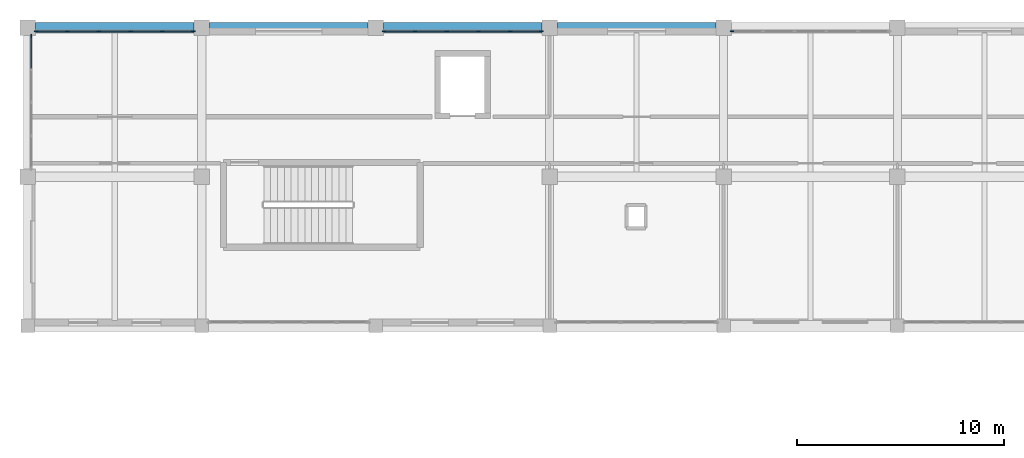
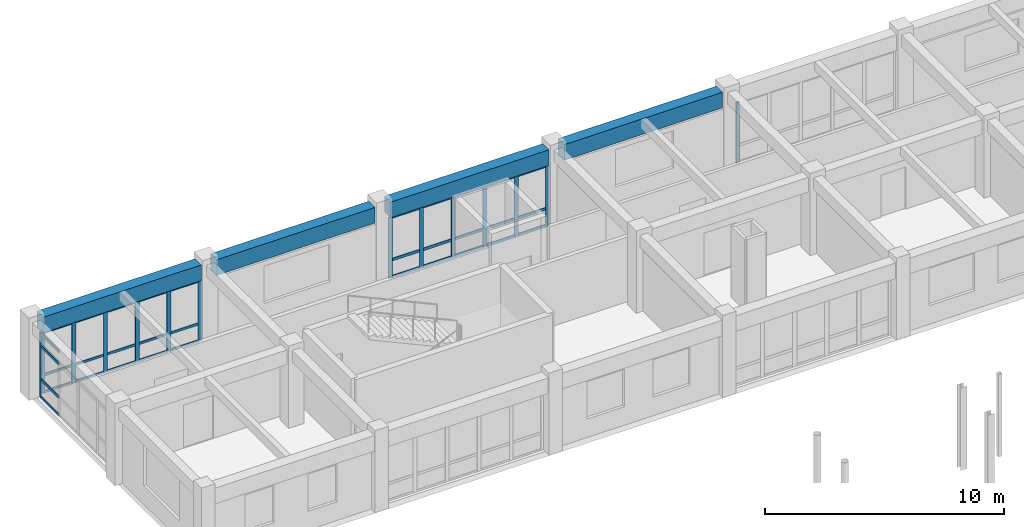
# One storey, part 96 of 147: 48 members, 4 beams, 4 elements without a shape of their own.
"""IFC4 building model written with IfcOpenShell, lengths in metres."""

from ifc_helpers import new_model, si_unit, direction, frame, origin, origin_2d, place, context, subcontext, project, spatial, rectangle, extrude, material, material_profile, profile_set, type_object, element, aggregate, save


model = new_model("IFC4")

# Units and contexts
model_context = context("Model", 3, precision=1e-05, world=origin(), true_north=direction((0.0, 1.0)))
body_context = subcontext(model_context, "Body", "Model", "MODEL_VIEW")
ifc_project = project(units=[si_unit("LENGTHUNIT", "METRE"), si_unit("AREAUNIT", "SQUARE_METRE"), si_unit("VOLUMEUNIT", "CUBIC_METRE"), si_unit("PLANEANGLEUNIT", "RADIAN"), si_unit("MASSUNIT", "GRAM", prefix="KILO")], contexts=[model_context])

# Site, building, storey
site_placement = place(None, origin())
site = spatial("IfcSite", under=ifc_project, at=site_placement, CompositionType="ELEMENT")
building_placement = place(site_placement, origin())
building = spatial("IfcBuilding", under=site, at=building_placement, Name="Malvenik Polytechnic", CompositionType="ELEMENT")
storey_placement = place(building_placement, frame((0.0, 0.0, 5.10009765625)))
storey = spatial("IfcBuildingStorey", under=building, at=storey_placement, Name="L01", CompositionType="ELEMENT", Elevation=5.10009765625)

# Curtain wall, member
ifc_material_1 = material(Name="Anodised aluminium 6060-T6", Category="aluminium")
curtain_wall_type_1 = type_object("IfcCurtainWallType", Name="ARC-CW-CW-05", PredefinedType="NOTDEFINED", material=ifc_material_1)
curtain_wall_1_placement = place(storey_placement, origin())
curtain_wall_1 = element("IfcCurtainWall", 1, at=curtain_wall_1_placement, inside=storey, type_object=curtain_wall_type_1, Name="Unitised Curtain Wall CW-05 L01 #44", PredefinedType="NOTDEFINED")
ifc_material_2 = material(Name="Anodised aluminium", Category="aluminium")
ifc_material_profile_1 = material_profile(ifc_material_2, rectangle(XDim=0.06005859375, YDim=0.159912109375, at=origin_2d()), Name="ALU MULLION 60x160")
ifc_profile_set_1 = profile_set([ifc_material_profile_1], Name="Anodised aluminium")
member_type_1 = type_object("IfcMemberType", Name="ARC-CWM-160", PredefinedType="MULLION", material=ifc_profile_set_1)
member_1_placement = place(storey_placement, frame((0.169921875, 129.197021484375, 0.0), z_axis=(0.0, 0.0, 1.0), x_axis=(-1.0, 0.0, 0.0)))
member_1 = element("IfcMember", 2, at=member_1_placement, type_object=member_type_1, Name="CW-05 mullion 5", PredefinedType="MULLION", context=body_context, shape_type="SweptSolid", body=[
    extrude(rectangle(XDim=0.06005859375, YDim=0.159912109375, at=origin_2d()), origin(), (0.0, 0.0, 1.0), 3.309814453125),
])

curtain_wall_type_2 = type_object("IfcCurtainWallType", Name="ARC-CW-CW-02", PredefinedType="NOTDEFINED", material=ifc_material_1)
curtain_wall_2_placement = place(storey_placement, origin())
curtain_wall_2 = element("IfcCurtainWall", 3, at=curtain_wall_2_placement, inside=storey, type_object=curtain_wall_type_2, Name="Unitised Curtain Wall CW-02 L01 #47", PredefinedType="NOTDEFINED")
member_2_placement = place(storey_placement, frame((34.0029296875, 129.429931640625, 0.0), z_axis=(0.0, 0.0, 1.0), x_axis=(0.0, 1.0, 0.0)))
member_2 = element("IfcMember", 4, at=member_2_placement, type_object=member_type_1, Name="CW-02 mullion 1", PredefinedType="MULLION", context=body_context, shape_type="SweptSolid", body=[
    extrude(rectangle(XDim=0.06005859375, YDim=0.159912109375, at=origin_2d()), origin(), (0.0, 0.0, 1.0), 3.10986328125),
])
aggregate(curtain_wall_2, [member_2])

# Curtain wall, members
curtain_wall_3_placement = place(storey_placement, origin())
curtain_wall_3 = element("IfcCurtainWall", 5, at=curtain_wall_3_placement, inside=storey, type_object=curtain_wall_type_2, Name="Unitised Curtain Wall CW-02 L01 #46", PredefinedType="NOTDEFINED")
ifc_material_profile_2 = material_profile(ifc_material_2, rectangle(XDim=0.06005859375, YDim=0.179931640625, at=origin_2d()), Name="ALU MULLION 60x180")
ifc_profile_set_2 = profile_set([ifc_material_profile_2], Name="Anodised aluminium")
member_type_2 = type_object("IfcMemberType", Name="ARC-CWM-180", PredefinedType="MULLION", material=ifc_profile_set_2)
member_3_placement = place(storey_placement, frame((17.202880859375, 129.429931640625, 0.0), z_axis=(0.0, 0.0, 1.0), x_axis=(0.0, 1.0, 0.0)))
member_3 = element("IfcMember", 6, at=member_3_placement, type_object=member_type_2, Name="CW-02 mullion 1", PredefinedType="MULLION", context=body_context, shape_type="SweptSolid", body=[
    extrude(rectangle(XDim=0.06005859375, YDim=0.179931640625, at=origin_2d()), origin(), (0.0, 0.0, 1.0), 3.10986328125),
])
member_4_placement = place(storey_placement, frame((18.703857421875, 129.429931640625, 0.0), z_axis=(0.0, 0.0, 1.0), x_axis=(0.0, 1.0, 0.0)))
member_4 = element("IfcMember", 7, at=member_4_placement, type_object=member_type_2, Name="CW-02 mullion 2", PredefinedType="MULLION", context=body_context, shape_type="SweptSolid", body=[
    extrude(rectangle(XDim=0.06005859375, YDim=0.179931640625, at=origin_2d()), origin(), (0.0, 0.0, 1.0), 3.10986328125),
])
member_5_placement = place(storey_placement, frame((20.234619140625, 129.429931640625, 0.0), z_axis=(0.0, 0.0, 1.0), x_axis=(0.0, 1.0, 0.0)))
member_5 = element("IfcMember", 8, at=member_5_placement, type_object=member_type_2, Name="CW-02 mullion 3", PredefinedType="MULLION", context=body_context, shape_type="SweptSolid", body=[
    extrude(rectangle(XDim=0.06005859375, YDim=0.179931640625, at=origin_2d()), origin(), (0.0, 0.0, 1.0), 3.10986328125),
])
member_6_placement = place(storey_placement, frame((21.765380859375, 129.429931640625, 0.0), z_axis=(0.0, 0.0, 1.0), x_axis=(0.0, 1.0, 0.0)))
member_6 = element("IfcMember", 9, at=member_6_placement, type_object=member_type_2, Name="CW-02 mullion 4", PredefinedType="MULLION", context=body_context, shape_type="SweptSolid", body=[
    extrude(rectangle(XDim=0.06005859375, YDim=0.179931640625, at=origin_2d()), origin(), (0.0, 0.0, 1.0), 3.10986328125),
])
member_7_placement = place(storey_placement, frame((23.296142578125, 129.429931640625, 0.0), z_axis=(0.0, 0.0, 1.0), x_axis=(0.0, 1.0, 0.0)))
member_7 = element("IfcMember", 10, at=member_7_placement, type_object=member_type_2, Name="CW-02 mullion 5", PredefinedType="MULLION", context=body_context, shape_type="SweptSolid", body=[
    extrude(rectangle(XDim=0.06005859375, YDim=0.179931640625, at=origin_2d()), origin(), (0.0, 0.0, 1.0), 3.10986328125),
])
member_8_placement = place(storey_placement, frame((24.797119140625, 129.429931640625, 0.0), z_axis=(0.0, 0.0, 1.0), x_axis=(0.0, 1.0, 0.0)))
member_8 = element("IfcMember", 11, at=member_8_placement, type_object=member_type_2, Name="CW-02 mullion 6", PredefinedType="MULLION", context=body_context, shape_type="SweptSolid", body=[
    extrude(rectangle(XDim=0.06005859375, YDim=0.179931640625, at=origin_2d()), origin(), (0.0, 0.0, 1.0), 3.10986328125),
])

curtain_wall_4_placement = place(storey_placement, origin())
curtain_wall_4 = element("IfcCurtainWall", 12, at=curtain_wall_4_placement, inside=storey, type_object=curtain_wall_type_2, Name="Unitised Curtain Wall CW-02 L01 #45", PredefinedType="NOTDEFINED")
ifc_material_profile_3 = material_profile(ifc_material_2, rectangle(XDim=0.06005859375, YDim=0.199951171875, at=origin_2d()), Name="ALU MULLION 60x200")
ifc_profile_set_3 = profile_set([ifc_material_profile_3], Name="Anodised aluminium")
member_type_3 = type_object("IfcMemberType", Name="ARC-CWM-200", PredefinedType="MULLION", material=ifc_profile_set_3)
member_9_placement = place(storey_placement, frame((0.403076171875, 129.429931640625, 0.0), z_axis=(0.0, 0.0, 1.0), x_axis=(0.0, 1.0, 0.0)))
member_9 = element("IfcMember", 13, at=member_9_placement, type_object=member_type_3, Name="CW-02 mullion 1", PredefinedType="MULLION", context=body_context, shape_type="SweptSolid", body=[
    extrude(rectangle(XDim=0.06005859375, YDim=0.199951171875, at=origin_2d()), origin(), (0.0, 0.0, 1.0), 3.10986328125),
])
member_10_placement = place(storey_placement, frame((1.90380859375, 129.429931640625, 0.0), z_axis=(0.0, 0.0, 1.0), x_axis=(0.0, 1.0, 0.0)))
member_10 = element("IfcMember", 14, at=member_10_placement, type_object=member_type_3, Name="CW-02 mullion 2", PredefinedType="MULLION", context=body_context, shape_type="SweptSolid", body=[
    extrude(rectangle(XDim=0.06005859375, YDim=0.199951171875, at=origin_2d()), origin(), (0.0, 0.0, 1.0), 3.10986328125),
])
member_11_placement = place(storey_placement, frame((3.4345703125, 129.429931640625, 0.0), z_axis=(0.0, 0.0, 1.0), x_axis=(0.0, 1.0, 0.0)))
member_11 = element("IfcMember", 15, at=member_11_placement, type_object=member_type_3, Name="CW-02 mullion 3", PredefinedType="MULLION", context=body_context, shape_type="SweptSolid", body=[
    extrude(rectangle(XDim=0.06005859375, YDim=0.199951171875, at=origin_2d()), origin(), (0.0, 0.0, 1.0), 3.10986328125),
])
member_12_placement = place(storey_placement, frame((4.96533203125, 129.429931640625, 0.0), z_axis=(0.0, 0.0, 1.0), x_axis=(0.0, 1.0, 0.0)))
member_12 = element("IfcMember", 16, at=member_12_placement, type_object=member_type_3, Name="CW-02 mullion 4", PredefinedType="MULLION", context=body_context, shape_type="SweptSolid", body=[
    extrude(rectangle(XDim=0.06005859375, YDim=0.199951171875, at=origin_2d()), origin(), (0.0, 0.0, 1.0), 3.10986328125),
])
member_13_placement = place(storey_placement, frame((6.49609375, 129.429931640625, 0.0), z_axis=(0.0, 0.0, 1.0), x_axis=(0.0, 1.0, 0.0)))
member_13 = element("IfcMember", 17, at=member_13_placement, type_object=member_type_3, Name="CW-02 mullion 5", PredefinedType="MULLION", context=body_context, shape_type="SweptSolid", body=[
    extrude(rectangle(XDim=0.06005859375, YDim=0.199951171875, at=origin_2d()), origin(), (0.0, 0.0, 1.0), 3.10986328125),
])
member_14_placement = place(storey_placement, frame((7.9970703125, 129.429931640625, 0.0), z_axis=(0.0, 0.0, 1.0), x_axis=(0.0, 1.0, 0.0)))
member_14 = element("IfcMember", 18, at=member_14_placement, type_object=member_type_3, Name="CW-02 mullion 6", PredefinedType="MULLION", context=body_context, shape_type="SweptSolid", body=[
    extrude(rectangle(XDim=0.06005859375, YDim=0.199951171875, at=origin_2d()), origin(), (0.0, 0.0, 1.0), 3.10986328125),
])
ifc_material_profile_4 = material_profile(ifc_material_2, rectangle(XDim=0.06005859375, YDim=0.1201171875, at=origin_2d()), Name="ALU TRANSOM 60x120")
ifc_profile_set_4 = profile_set([ifc_material_profile_4], Name="Anodised aluminium")
member_type_4 = type_object("IfcMemberType", Name="ARC-CWT-120", PredefinedType="USERDEFINED", material=ifc_profile_set_4)
member_15_placement = place(storey_placement, frame((0.43310546875, 129.429931640625, 0.02978515625), z_axis=(1.0, 0.0, 0.0), x_axis=(0.0, 1.0, 0.0)))
member_15 = element("IfcMember", 19, at=member_15_placement, type_object=member_type_4, Name="CW-02 transom 1.1", ObjectType="TRANSOM", PredefinedType="USERDEFINED", context=body_context, shape_type="SweptSolid", body=[
    extrude(rectangle(XDim=0.06005859375, YDim=0.1201171875, at=origin_2d()), origin(), (0.0, 0.0, 1.0), 1.440673828125),
])
member_16_placement = place(storey_placement, frame((0.43310546875, 129.429931640625, 0.89990234375), z_axis=(1.0, 0.0, 0.0), x_axis=(0.0, 1.0, 0.0)))
member_16 = element("IfcMember", 20, at=member_16_placement, type_object=member_type_4, Name="CW-02 transom 1.2", ObjectType="TRANSOM", PredefinedType="USERDEFINED", context=body_context, shape_type="SweptSolid", body=[
    extrude(rectangle(XDim=0.06005859375, YDim=0.1201171875, at=origin_2d()), origin(), (0.0, 0.0, 1.0), 1.440673828125),
])
member_17_placement = place(storey_placement, frame((0.43310546875, 129.429931640625, 3.079833984375), z_axis=(1.0, 0.0, 0.0), x_axis=(0.0, 1.0, 0.0)))
member_17 = element("IfcMember", 21, at=member_17_placement, type_object=member_type_4, Name="CW-02 transom 1.3", ObjectType="TRANSOM", PredefinedType="USERDEFINED", context=body_context, shape_type="SweptSolid", body=[
    extrude(rectangle(XDim=0.06005859375, YDim=0.1201171875, at=origin_2d()), origin(), (0.0, 0.0, 1.0), 1.440673828125),
])
member_18_placement = place(storey_placement, frame((1.933837890625, 129.429931640625, 0.02978515625), z_axis=(1.0, 0.0, 0.0), x_axis=(0.0, 1.0, 0.0)))
member_18 = element("IfcMember", 22, at=member_18_placement, type_object=member_type_4, Name="CW-02 transom 2.1", ObjectType="TRANSOM", PredefinedType="USERDEFINED", context=body_context, shape_type="SweptSolid", body=[
    extrude(rectangle(XDim=0.06005859375, YDim=0.1201171875, at=origin_2d()), origin(), (0.0, 0.0, 1.0), 1.470703125),
])
member_19_placement = place(storey_placement, frame((1.933837890625, 129.429931640625, 0.89990234375), z_axis=(1.0, 0.0, 0.0), x_axis=(0.0, 1.0, 0.0)))
member_19 = element("IfcMember", 23, at=member_19_placement, type_object=member_type_4, Name="CW-02 transom 2.2", ObjectType="TRANSOM", PredefinedType="USERDEFINED", context=body_context, shape_type="SweptSolid", body=[
    extrude(rectangle(XDim=0.06005859375, YDim=0.1201171875, at=origin_2d()), origin(), (0.0, 0.0, 1.0), 1.470703125),
])
member_20_placement = place(storey_placement, frame((1.933837890625, 129.429931640625, 3.079833984375), z_axis=(1.0, 0.0, 0.0), x_axis=(0.0, 1.0, 0.0)))
member_20 = element("IfcMember", 24, at=member_20_placement, type_object=member_type_4, Name="CW-02 transom 2.3", ObjectType="TRANSOM", PredefinedType="USERDEFINED", context=body_context, shape_type="SweptSolid", body=[
    extrude(rectangle(XDim=0.06005859375, YDim=0.1201171875, at=origin_2d()), origin(), (0.0, 0.0, 1.0), 1.470703125),
])
member_21_placement = place(storey_placement, frame((3.464599609375, 129.429931640625, 0.02978515625), z_axis=(1.0, 0.0, 0.0), x_axis=(0.0, 1.0, 0.0)))
member_21 = element("IfcMember", 25, at=member_21_placement, type_object=member_type_4, Name="CW-02 transom 3.1", ObjectType="TRANSOM", PredefinedType="USERDEFINED", context=body_context, shape_type="SweptSolid", body=[
    extrude(rectangle(XDim=0.06005859375, YDim=0.1201171875, at=origin_2d()), origin(), (0.0, 0.0, 1.0), 1.470703125),
])
member_22_placement = place(storey_placement, frame((3.464599609375, 129.429931640625, 0.89990234375), z_axis=(1.0, 0.0, 0.0), x_axis=(0.0, 1.0, 0.0)))
member_22 = element("IfcMember", 26, at=member_22_placement, type_object=member_type_4, Name="CW-02 transom 3.2", ObjectType="TRANSOM", PredefinedType="USERDEFINED", context=body_context, shape_type="SweptSolid", body=[
    extrude(rectangle(XDim=0.06005859375, YDim=0.1201171875, at=origin_2d()), origin(), (0.0, 0.0, 1.0), 1.470703125),
])
member_23_placement = place(storey_placement, frame((3.464599609375, 129.429931640625, 3.079833984375), z_axis=(1.0, 0.0, 0.0), x_axis=(0.0, 1.0, 0.0)))
member_23 = element("IfcMember", 27, at=member_23_placement, type_object=member_type_4, Name="CW-02 transom 3.3", ObjectType="TRANSOM", PredefinedType="USERDEFINED", context=body_context, shape_type="SweptSolid", body=[
    extrude(rectangle(XDim=0.06005859375, YDim=0.1201171875, at=origin_2d()), origin(), (0.0, 0.0, 1.0), 1.470703125),
])
member_24_placement = place(storey_placement, frame((4.995361328125, 129.429931640625, 0.02978515625), z_axis=(1.0, 0.0, 0.0), x_axis=(0.0, 1.0, 0.0)))
member_24 = element("IfcMember", 28, at=member_24_placement, type_object=member_type_4, Name="CW-02 transom 4.1", ObjectType="TRANSOM", PredefinedType="USERDEFINED", context=body_context, shape_type="SweptSolid", body=[
    extrude(rectangle(XDim=0.06005859375, YDim=0.1201171875, at=origin_2d()), origin(), (0.0, 0.0, 1.0), 1.470947265625),
])
member_25_placement = place(storey_placement, frame((4.995361328125, 129.429931640625, 0.89990234375), z_axis=(1.0, 0.0, 0.0), x_axis=(0.0, 1.0, 0.0)))
member_25 = element("IfcMember", 29, at=member_25_placement, type_object=member_type_4, Name="CW-02 transom 4.2", ObjectType="TRANSOM", PredefinedType="USERDEFINED", context=body_context, shape_type="SweptSolid", body=[
    extrude(rectangle(XDim=0.06005859375, YDim=0.1201171875, at=origin_2d()), origin(), (0.0, 0.0, 1.0), 1.470947265625),
])
member_26_placement = place(storey_placement, frame((4.995361328125, 129.429931640625, 3.079833984375), z_axis=(1.0, 0.0, 0.0), x_axis=(0.0, 1.0, 0.0)))
member_26 = element("IfcMember", 30, at=member_26_placement, type_object=member_type_4, Name="CW-02 transom 4.3", ObjectType="TRANSOM", PredefinedType="USERDEFINED", context=body_context, shape_type="SweptSolid", body=[
    extrude(rectangle(XDim=0.06005859375, YDim=0.1201171875, at=origin_2d()), origin(), (0.0, 0.0, 1.0), 1.470947265625),
])
member_27_placement = place(storey_placement, frame((6.526123046875, 129.429931640625, 0.02978515625), z_axis=(1.0, 0.0, 0.0), x_axis=(0.0, 1.0, 0.0)))
member_27 = element("IfcMember", 31, at=member_27_placement, type_object=member_type_4, Name="CW-02 transom 5.1", ObjectType="TRANSOM", PredefinedType="USERDEFINED", context=body_context, shape_type="SweptSolid", body=[
    extrude(rectangle(XDim=0.06005859375, YDim=0.1201171875, at=origin_2d()), origin(), (0.0, 0.0, 1.0), 1.44091796875),
])
member_28_placement = place(storey_placement, frame((6.526123046875, 129.429931640625, 0.89990234375), z_axis=(1.0, 0.0, 0.0), x_axis=(0.0, 1.0, 0.0)))
member_28 = element("IfcMember", 32, at=member_28_placement, type_object=member_type_4, Name="CW-02 transom 5.2", ObjectType="TRANSOM", PredefinedType="USERDEFINED", context=body_context, shape_type="SweptSolid", body=[
    extrude(rectangle(XDim=0.06005859375, YDim=0.1201171875, at=origin_2d()), origin(), (0.0, 0.0, 1.0), 1.44091796875),
])
member_29_placement = place(storey_placement, frame((6.526123046875, 129.429931640625, 3.079833984375), z_axis=(1.0, 0.0, 0.0), x_axis=(0.0, 1.0, 0.0)))
member_29 = element("IfcMember", 33, at=member_29_placement, type_object=member_type_4, Name="CW-02 transom 5.3", ObjectType="TRANSOM", PredefinedType="USERDEFINED", context=body_context, shape_type="SweptSolid", body=[
    extrude(rectangle(XDim=0.06005859375, YDim=0.1201171875, at=origin_2d()), origin(), (0.0, 0.0, 1.0), 1.44091796875),
])
aggregate(curtain_wall_4, [member_9, member_10, member_11, member_12, member_13, member_14, member_15, member_16, member_17, member_18, member_19, member_20, member_21, member_22, member_23, member_24, member_25, member_26, member_27, member_28, member_29])

# Member
ifc_material_profile_5 = material_profile(ifc_material_2, rectangle(XDim=0.06005859375, YDim=0.139892578125, at=origin_2d()), Name="ALU TRANSOM 60x140")
ifc_profile_set_5 = profile_set([ifc_material_profile_5], Name="Anodised aluminium")
member_type_5 = type_object("IfcMemberType", Name="ARC-CWT-140", PredefinedType="USERDEFINED", material=ifc_profile_set_5)
member_30_placement = place(storey_placement, frame((0.169921875, 127.6435546875, 0.02978515625), z_axis=(0.0, 1.0, 0.0), x_axis=(-1.0, 0.0, 0.0)))
member_30 = element("IfcMember", 34, at=member_30_placement, type_object=member_type_5, Name="CW-05 transom 4.1", ObjectType="TRANSOM", PredefinedType="USERDEFINED", context=body_context, shape_type="SweptSolid", body=[
    extrude(rectangle(XDim=0.06005859375, YDim=0.139892578125, at=origin_2d()), origin(), (0.0, 0.0, 1.0), 1.5234375),
])

member_31_placement = place(storey_placement, frame((0.169921875, 127.6435546875, 0.949951171875), z_axis=(0.0, 1.0, 0.0), x_axis=(-1.0, 0.0, 0.0)))
member_31 = element("IfcMember", 35, at=member_31_placement, type_object=member_type_5, Name="CW-05 transom 4.2", ObjectType="TRANSOM", PredefinedType="USERDEFINED", context=body_context, shape_type="SweptSolid", body=[
    extrude(rectangle(XDim=0.06005859375, YDim=0.139892578125, at=origin_2d()), origin(), (0.0, 0.0, 1.0), 1.5234375),
])

member_32_placement = place(storey_placement, frame((0.169921875, 127.6435546875, 2.659912109375), z_axis=(0.0, 1.0, 0.0), x_axis=(-1.0, 0.0, 0.0)))
member_32 = element("IfcMember", 36, at=member_32_placement, type_object=member_type_5, Name="CW-05 transom 4.3", ObjectType="TRANSOM", PredefinedType="USERDEFINED", context=body_context, shape_type="SweptSolid", body=[
    extrude(rectangle(XDim=0.06005859375, YDim=0.139892578125, at=origin_2d()), origin(), (0.0, 0.0, 1.0), 1.5234375),
])

member_33_placement = place(storey_placement, frame((0.169921875, 127.6435546875, 3.27978515625), z_axis=(0.0, 1.0, 0.0), x_axis=(-1.0, 0.0, 0.0)))
member_33 = element("IfcMember", 37, at=member_33_placement, type_object=member_type_5, Name="CW-05 transom 4.4", ObjectType="TRANSOM", PredefinedType="USERDEFINED", context=body_context, shape_type="SweptSolid", body=[
    extrude(rectangle(XDim=0.06005859375, YDim=0.139892578125, at=origin_2d()), origin(), (0.0, 0.0, 1.0), 1.5234375),
])

aggregate(curtain_wall_1, [member_1, member_30, member_31, member_32, member_33])

member_34_placement = place(storey_placement, frame((17.23291015625, 129.429931640625, 0.02978515625), z_axis=(1.0, 0.0, 0.0), x_axis=(0.0, 1.0, 0.0)))
member_34 = element("IfcMember", 38, at=member_34_placement, type_object=member_type_5, Name="CW-02 transom 1.1", ObjectType="TRANSOM", PredefinedType="USERDEFINED", context=body_context, shape_type="SweptSolid", body=[
    extrude(rectangle(XDim=0.06005859375, YDim=0.139892578125, at=origin_2d()), origin(), (0.0, 0.0, 1.0), 1.44091796875),
])

member_35_placement = place(storey_placement, frame((17.23291015625, 129.429931640625, 0.89990234375), z_axis=(1.0, 0.0, 0.0), x_axis=(0.0, 1.0, 0.0)))
member_35 = element("IfcMember", 39, at=member_35_placement, type_object=member_type_5, Name="CW-02 transom 1.2", ObjectType="TRANSOM", PredefinedType="USERDEFINED", context=body_context, shape_type="SweptSolid", body=[
    extrude(rectangle(XDim=0.06005859375, YDim=0.139892578125, at=origin_2d()), origin(), (0.0, 0.0, 1.0), 1.44091796875),
])

member_36_placement = place(storey_placement, frame((17.23291015625, 129.429931640625, 3.079833984375), z_axis=(1.0, 0.0, 0.0), x_axis=(0.0, 1.0, 0.0)))
member_36 = element("IfcMember", 40, at=member_36_placement, type_object=member_type_5, Name="CW-02 transom 1.3", ObjectType="TRANSOM", PredefinedType="USERDEFINED", context=body_context, shape_type="SweptSolid", body=[
    extrude(rectangle(XDim=0.06005859375, YDim=0.139892578125, at=origin_2d()), origin(), (0.0, 0.0, 1.0), 1.44091796875),
])

member_37_placement = place(storey_placement, frame((18.73388671875, 129.429931640625, 0.02978515625), z_axis=(1.0, 0.0, 0.0), x_axis=(0.0, 1.0, 0.0)))
member_37 = element("IfcMember", 41, at=member_37_placement, type_object=member_type_5, Name="CW-02 transom 2.1", ObjectType="TRANSOM", PredefinedType="USERDEFINED", context=body_context, shape_type="SweptSolid", body=[
    extrude(rectangle(XDim=0.06005859375, YDim=0.139892578125, at=origin_2d()), origin(), (0.0, 0.0, 1.0), 1.470703125),
])

member_38_placement = place(storey_placement, frame((18.73388671875, 129.429931640625, 0.89990234375), z_axis=(1.0, 0.0, 0.0), x_axis=(0.0, 1.0, 0.0)))
member_38 = element("IfcMember", 42, at=member_38_placement, type_object=member_type_5, Name="CW-02 transom 2.2", ObjectType="TRANSOM", PredefinedType="USERDEFINED", context=body_context, shape_type="SweptSolid", body=[
    extrude(rectangle(XDim=0.06005859375, YDim=0.139892578125, at=origin_2d()), origin(), (0.0, 0.0, 1.0), 1.470703125),
])

member_39_placement = place(storey_placement, frame((18.73388671875, 129.429931640625, 3.079833984375), z_axis=(1.0, 0.0, 0.0), x_axis=(0.0, 1.0, 0.0)))
member_39 = element("IfcMember", 43, at=member_39_placement, type_object=member_type_5, Name="CW-02 transom 2.3", ObjectType="TRANSOM", PredefinedType="USERDEFINED", context=body_context, shape_type="SweptSolid", body=[
    extrude(rectangle(XDim=0.06005859375, YDim=0.139892578125, at=origin_2d()), origin(), (0.0, 0.0, 1.0), 1.470703125),
])

member_40_placement = place(storey_placement, frame((20.2646484375, 129.429931640625, 0.02978515625), z_axis=(1.0, 0.0, 0.0), x_axis=(0.0, 1.0, 0.0)))
member_40 = element("IfcMember", 44, at=member_40_placement, type_object=member_type_5, Name="CW-02 transom 3.1", ObjectType="TRANSOM", PredefinedType="USERDEFINED", context=body_context, shape_type="SweptSolid", body=[
    extrude(rectangle(XDim=0.06005859375, YDim=0.139892578125, at=origin_2d()), origin(), (0.0, 0.0, 1.0), 1.470703125),
])

member_41_placement = place(storey_placement, frame((20.2646484375, 129.429931640625, 0.89990234375), z_axis=(1.0, 0.0, 0.0), x_axis=(0.0, 1.0, 0.0)))
member_41 = element("IfcMember", 45, at=member_41_placement, type_object=member_type_5, Name="CW-02 transom 3.2", ObjectType="TRANSOM", PredefinedType="USERDEFINED", context=body_context, shape_type="SweptSolid", body=[
    extrude(rectangle(XDim=0.06005859375, YDim=0.139892578125, at=origin_2d()), origin(), (0.0, 0.0, 1.0), 1.470703125),
])

member_42_placement = place(storey_placement, frame((20.2646484375, 129.429931640625, 3.079833984375), z_axis=(1.0, 0.0, 0.0), x_axis=(0.0, 1.0, 0.0)))
member_42 = element("IfcMember", 46, at=member_42_placement, type_object=member_type_5, Name="CW-02 transom 3.3", ObjectType="TRANSOM", PredefinedType="USERDEFINED", context=body_context, shape_type="SweptSolid", body=[
    extrude(rectangle(XDim=0.06005859375, YDim=0.139892578125, at=origin_2d()), origin(), (0.0, 0.0, 1.0), 1.470703125),
])

member_43_placement = place(storey_placement, frame((21.79541015625, 129.429931640625, 0.02978515625), z_axis=(1.0, 0.0, 0.0), x_axis=(0.0, 1.0, 0.0)))
member_43 = element("IfcMember", 47, at=member_43_placement, type_object=member_type_5, Name="CW-02 transom 4.1", ObjectType="TRANSOM", PredefinedType="USERDEFINED", context=body_context, shape_type="SweptSolid", body=[
    extrude(rectangle(XDim=0.06005859375, YDim=0.139892578125, at=origin_2d()), origin(), (0.0, 0.0, 1.0), 1.470703125),
])

member_44_placement = place(storey_placement, frame((21.79541015625, 129.429931640625, 0.89990234375), z_axis=(1.0, 0.0, 0.0), x_axis=(0.0, 1.0, 0.0)))
member_44 = element("IfcMember", 48, at=member_44_placement, type_object=member_type_5, Name="CW-02 transom 4.2", ObjectType="TRANSOM", PredefinedType="USERDEFINED", context=body_context, shape_type="SweptSolid", body=[
    extrude(rectangle(XDim=0.06005859375, YDim=0.139892578125, at=origin_2d()), origin(), (0.0, 0.0, 1.0), 1.470703125),
])

member_45_placement = place(storey_placement, frame((21.79541015625, 129.429931640625, 3.079833984375), z_axis=(1.0, 0.0, 0.0), x_axis=(0.0, 1.0, 0.0)))
member_45 = element("IfcMember", 49, at=member_45_placement, type_object=member_type_5, Name="CW-02 transom 4.3", ObjectType="TRANSOM", PredefinedType="USERDEFINED", context=body_context, shape_type="SweptSolid", body=[
    extrude(rectangle(XDim=0.06005859375, YDim=0.139892578125, at=origin_2d()), origin(), (0.0, 0.0, 1.0), 1.470703125),
])

member_46_placement = place(storey_placement, frame((23.326171875, 129.429931640625, 0.02978515625), z_axis=(1.0, 0.0, 0.0), x_axis=(0.0, 1.0, 0.0)))
member_46 = element("IfcMember", 50, at=member_46_placement, type_object=member_type_5, Name="CW-02 transom 5.1", ObjectType="TRANSOM", PredefinedType="USERDEFINED", context=body_context, shape_type="SweptSolid", body=[
    extrude(rectangle(XDim=0.06005859375, YDim=0.139892578125, at=origin_2d()), origin(), (0.0, 0.0, 1.0), 1.44091796875),
])

member_47_placement = place(storey_placement, frame((23.326171875, 129.429931640625, 0.89990234375), z_axis=(1.0, 0.0, 0.0), x_axis=(0.0, 1.0, 0.0)))
member_47 = element("IfcMember", 51, at=member_47_placement, type_object=member_type_5, Name="CW-02 transom 5.2", ObjectType="TRANSOM", PredefinedType="USERDEFINED", context=body_context, shape_type="SweptSolid", body=[
    extrude(rectangle(XDim=0.06005859375, YDim=0.139892578125, at=origin_2d()), origin(), (0.0, 0.0, 1.0), 1.44091796875),
])

member_48_placement = place(storey_placement, frame((23.326171875, 129.429931640625, 3.079833984375), z_axis=(1.0, 0.0, 0.0), x_axis=(0.0, 1.0, 0.0)))
member_48 = element("IfcMember", 52, at=member_48_placement, type_object=member_type_5, Name="CW-02 transom 5.3", ObjectType="TRANSOM", PredefinedType="USERDEFINED", context=body_context, shape_type="SweptSolid", body=[
    extrude(rectangle(XDim=0.06005859375, YDim=0.139892578125, at=origin_2d()), origin(), (0.0, 0.0, 1.0), 1.44091796875),
])

aggregate(curtain_wall_3, [member_3, member_4, member_5, member_6, member_7, member_8, member_34, member_35, member_36, member_37, member_38, member_39, member_40, member_41, member_42, member_43, member_44, member_45, member_46, member_47, member_48])

# Beams
ifc_material_3 = material(Name="Precast concrete C40/50", Category="concrete")
ifc_material_profile_6 = material_profile(ifc_material_3, rectangle(XDim=0.52001953125, YDim=0.800048828125, at=origin_2d()), Name="PC SPN 520x800")
ifc_profile_set_6 = profile_set([ifc_material_profile_6], Name="Precast concrete C40/50")
beam_type = type_object("IfcBeamType", Name="STR-BM-SP-01", PredefinedType="SPANDREL", material=ifc_profile_set_6)
for number, where, z_axis, x_axis, name in (
    (53, (0.373046875, 129.60009765625, 3.52001953125), (1.0, 0.0, 0.0), (0.0, 1.0, 0.0), "Primary Beam SP-01 L01 #1111"),
    (54, (8.77294921875, 129.60009765625, 3.52001953125), (1.0, 0.0, 0.0), (0.0, 1.0, 0.0), "Primary Beam SP-01 L01 #1112"),
):
    element("IfcBeam", number, at=place(storey_placement, frame(where, z_axis=z_axis, x_axis=x_axis)), inside=storey, type_object=beam_type, Name=name, PredefinedType="SPANDREL", context=body_context, shape_type="SweptSolid", body=[
        extrude(rectangle(XDim=0.52001953125, YDim=0.800048828125, at=origin_2d()), origin(), (0.0, 0.0, 1.0), 7.654052734375),
    ])
beam_1_placement = place(storey_placement, frame((17.173095703125, 129.60009765625, 3.52001953125), z_axis=(1.0, 0.0, 0.0), x_axis=(0.0, 1.0, 0.0)))
element("IfcBeam", 55, at=beam_1_placement, inside=storey, type_object=beam_type, Name="Primary Beam SP-01 L01 #1113", PredefinedType="SPANDREL", context=body_context, shape_type="SweptSolid", body=[
    extrude(rectangle(XDim=0.52001953125, YDim=0.800048828125, at=origin_2d()), origin(), (0.0, 0.0, 1.0), 7.65380859375),
])
beam_2_placement = place(storey_placement, frame((25.572998046875, 129.60009765625, 3.52001953125), z_axis=(1.0, 0.0, 0.0), x_axis=(0.0, 1.0, 0.0)))
element("IfcBeam", 56, at=beam_2_placement, inside=storey, type_object=beam_type, Name="Primary Beam SP-01 L01 #1114", PredefinedType="SPANDREL", context=body_context, shape_type="SweptSolid", body=[
    extrude(rectangle(XDim=0.52001953125, YDim=0.800048828125, at=origin_2d()), origin(), (0.0, 0.0, 1.0), 7.654052734375),
])

save(model, "model.ifc")
